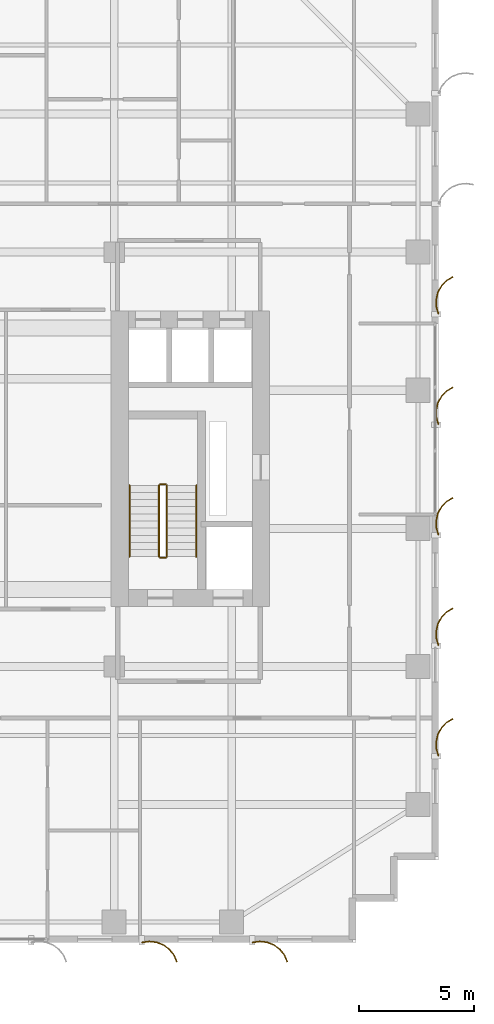
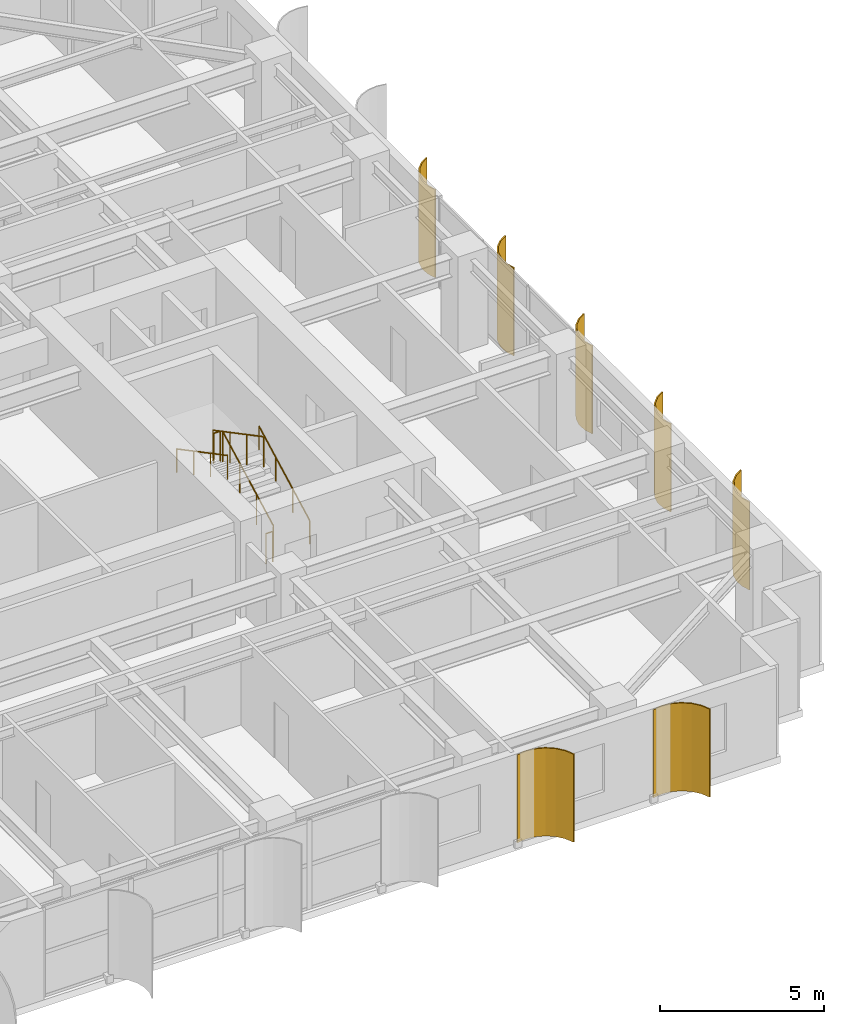
# One storey, part 18 of 19: 7 shading devices, 6 railings.
"""IFC4 building model written with IfcOpenShell, lengths in metres."""

from ifc_helpers import new_model, si_unit, direction, frame, origin, origin_2d, place, context, subcontext, project, spatial, polyline, circle, outline, extrude, source, transform, mapped, material, layer, layer_set, type_object, element, save


model = new_model("IFC4")

# Units and contexts
model_context = context("Model", 3, precision=1e-05, world=origin(), true_north=direction((0.0, 1.0)))
body_context = subcontext(model_context, "Body", "Model", "MODEL_VIEW")
ifc_project = project(units=[si_unit("LENGTHUNIT", "METRE"), si_unit("AREAUNIT", "SQUARE_METRE"), si_unit("VOLUMEUNIT", "CUBIC_METRE"), si_unit("PLANEANGLEUNIT", "RADIAN"), si_unit("MASSUNIT", "GRAM", prefix="KILO")], contexts=[model_context])

# Site, building, storey
site_placement = place(None, origin())
site = spatial("IfcSite", under=ifc_project, at=site_placement, CompositionType="ELEMENT")
building_placement = place(site_placement, origin())
building = spatial("IfcBuilding", under=site, at=building_placement, Name="Khoralis Quay Care Tower", CompositionType="ELEMENT")
storey_placement = place(building_placement, frame((0.0, 0.0, 90.89990234375)))
storey = spatial("IfcBuildingStorey", under=building, at=storey_placement, Name="L23", CompositionType="ELEMENT", Elevation=90.89990234375)

# Railings
ifc_material_1 = material(Name="Brushed stainless steel", Category="steel")
railing_type_1 = type_object("IfcRailingType", Name="RL-GUARD-1150", PredefinedType="GUARDRAIL", material=ifc_material_1)
railing_1_placement = place(storey_placement, frame((33.18994140625, 16.77001953125, 0.163818359375)))
element("IfcRailing", 1, at=railing_1_placement, inside=storey, type_object=railing_type_1, Name="L23 ST-T2 stair guard 1", PredefinedType="GUARDRAIL", context=body_context, shape_type="SweptSolid", body=[
    extrude(circle(Radius=0.02392578125, at=origin_2d()), frame((0.0, 0.0, 1.1259765625), z_axis=(0.0, 0.884376766648, 0.46677375099), x_axis=(-1.0, 0.0, 0.0)), (0.0, 0.0, 1.0), 3.50537109375),
    extrude(circle(Radius=0.02099609375, at=origin_2d()), origin(), (0.0, 0.0, 1.0), 1.101806640625),
    extrude(circle(Radius=0.02099609375, at=origin_2d()), frame((0.0, 1.033447265625, 0.54541015625)), (0.0, 0.0, 1.0), 1.101806640625),
    extrude(circle(Radius=0.02099609375, at=origin_2d()), frame((0.0, 2.066650390625, 1.0908203125)), (0.0, 0.0, 1.0), 1.101806640625),
    extrude(circle(Radius=0.02099609375, at=origin_2d()), frame((0.0, 3.10009765625, 1.63623046875)), (0.0, 0.0, 1.0), 1.101806640625),
])
railing_2_placement = place(storey_placement, frame((33.139892578125, 19.919921875, 1.800048828125)))
element("IfcRailing", 2, at=railing_2_placement, inside=storey, type_object=railing_type_1, Name="L23 ST-T2 stair guard 2", PredefinedType="GUARDRAIL", context=body_context, shape_type="SweptSolid", body=[
    extrude(circle(Radius=0.02392578125, at=origin_2d()), frame((0.0, 0.0, 1.1259765625), z_axis=(-1.0, 0.0, 0.0), x_axis=(0.0, -1.0, 0.0)), (0.0, 0.0, 1.0), 0.239990234375),
    extrude(circle(Radius=0.02099609375, at=origin_2d()), origin(), (0.0, 0.0, 1.0), 1.101806640625),
    extrude(circle(Radius=0.02099609375, at=origin_2d()), frame((-0.239990234375, 0.0, 0.0)), (0.0, 0.0, 1.0), 1.101806640625),
])
railing_3_placement = place(storey_placement, frame((32.85009765625, 19.8701171875, 1.963623046875)))
element("IfcRailing", 3, at=railing_3_placement, inside=storey, type_object=railing_type_1, Name="L23 ST-T2 stair guard 3", PredefinedType="GUARDRAIL", context=body_context, shape_type="SweptSolid", body=[
    extrude(circle(Radius=0.02392578125, at=origin_2d()), frame((0.0, 0.0, 1.1259765625), z_axis=(0.0, -0.884348015382, 0.466828220752), x_axis=(1.0, 0.0, 0.0)), (0.0, 0.0, 1.0), 3.505615234375),
    extrude(circle(Radius=0.02099609375, at=origin_2d()), origin(), (0.0, 0.0, 1.0), 1.101806640625),
    extrude(circle(Radius=0.02099609375, at=origin_2d()), frame((0.0, -1.033447265625, 0.54541015625)), (0.0, 0.0, 1.0), 1.101806640625),
    extrude(circle(Radius=0.02099609375, at=origin_2d()), frame((0.0, -2.066650390625, 1.091064453125)), (0.0, 0.0, 1.0), 1.101806640625),
    extrude(circle(Radius=0.02099609375, at=origin_2d()), frame((0.0, -3.10009765625, 1.636474609375)), (0.0, 0.0, 1.0), 1.101806640625),
])
railing_4_placement = place(storey_placement, frame((33.139892578125, 16.719970703125, 0.0)))
element("IfcRailing", 4, at=railing_4_placement, inside=storey, type_object=railing_type_1, Name="L23 ST-T2 stair guard 4", PredefinedType="GUARDRAIL", context=body_context, shape_type="SweptSolid", body=[
    extrude(circle(Radius=0.02392578125, at=origin_2d()), frame((0.0, 0.0, 1.1259765625), z_axis=(-1.0, 0.0, 0.0), x_axis=(0.0, -1.0, 0.0)), (0.0, 0.0, 1.0), 0.239990234375),
    extrude(circle(Radius=0.02099609375, at=origin_2d()), origin(), (0.0, 0.0, 1.0), 1.101806640625),
    extrude(circle(Radius=0.02099609375, at=origin_2d()), frame((-0.239990234375, 0.0, 0.0)), (0.0, 0.0, 1.0), 1.101806640625),
])
railing_type_2 = type_object("IfcRailingType", Name="RL-HAND-900", PredefinedType="HANDRAIL", material=ifc_material_1)
railing_5_placement = place(storey_placement, frame((34.469970703125, 16.77001953125, 0.163818359375)))
element("IfcRailing", 5, at=railing_5_placement, inside=storey, type_object=railing_type_2, Name="L23 ST-T2 stair handrail 1", PredefinedType="HANDRAIL", context=body_context, shape_type="SweptSolid", body=[
    extrude(circle(Radius=0.02392578125, at=origin_2d()), frame((0.0, 0.0, 0.8759765625), z_axis=(0.0, 0.884376766648, 0.46677375099), x_axis=(-1.0, 0.0, 0.0)), (0.0, 0.0, 1.0), 3.50537109375),
    extrude(circle(Radius=0.02099609375, at=origin_2d()), origin(), (0.0, 0.0, 1.0), 0.851806640625),
    extrude(circle(Radius=0.02099609375, at=origin_2d()), frame((0.0, 1.033447265625, 0.54541015625)), (0.0, 0.0, 1.0), 0.851806640625),
    extrude(circle(Radius=0.02099609375, at=origin_2d()), frame((0.0, 2.066650390625, 1.0908203125)), (0.0, 0.0, 1.0), 0.851806640625),
    extrude(circle(Radius=0.02099609375, at=origin_2d()), frame((0.0, 3.10009765625, 1.63623046875)), (0.0, 0.0, 1.0), 0.851806640625),
])
railing_6_placement = place(storey_placement, frame((31.570068359375, 19.8701171875, 1.963623046875)))
element("IfcRailing", 6, at=railing_6_placement, inside=storey, type_object=railing_type_2, Name="L23 ST-T2 stair handrail 2", PredefinedType="HANDRAIL", context=body_context, shape_type="SweptSolid", body=[
    extrude(circle(Radius=0.02392578125, at=origin_2d()), frame((0.0, 0.0, 0.8759765625), z_axis=(0.0, -0.884348015382, 0.466828220752), x_axis=(1.0, 0.0, 0.0)), (0.0, 0.0, 1.0), 3.505615234375),
    extrude(circle(Radius=0.02099609375, at=origin_2d()), origin(), (0.0, 0.0, 1.0), 0.851806640625),
    extrude(circle(Radius=0.02099609375, at=origin_2d()), frame((0.0, -1.033447265625, 0.54541015625)), (0.0, 0.0, 1.0), 0.851806640625),
    extrude(circle(Radius=0.02099609375, at=origin_2d()), frame((0.0, -2.066650390625, 1.091064453125)), (0.0, 0.0, 1.0), 0.851806640625),
    extrude(circle(Radius=0.02099609375, at=origin_2d()), frame((0.0, -3.10009765625, 1.636474609375)), (0.0, 0.0, 1.0), 0.851806640625),
])

# Shading devices
ifc_material_2 = material(Name="Brushed pale anodised aluminium", Category="aluminium")
ifc_layer = layer(ifc_material_2, 0.044921875)
ifc_layer_set = layer_set([ifc_layer], Name="Brushed pale anodised aluminium")
shading_device_type = type_object("IfcShadingDeviceType", Name="SHD-FIN-1250", PredefinedType="USERDEFINED", material=ifc_layer_set)
shared_shape_1 = source(origin(), body_context, "Body", "SweptSolid", [
    extrude(outline(polyline([(0.0, 0.0), (-0.04833984375, 0.32275390625), (-0.01123046875, 0.64697265625), (0.1083984375, 0.950439453125), (0.302490234375, 1.212890625), (0.557861328125, 1.416015625), (0.85693359375, 1.546142578125), (0.869384765625, 1.5029296875), (0.5810546875, 1.37744140625), (0.334716796875, 1.181640625), (0.147705078125, 0.9287109375), (0.032470703125, 0.635986328125), (-0.003173828125, 0.323486328125), (0.043212890625, 0.012451171875), (0.0, 0.0)])), origin(), (0.0, 0.0, 1.0), 3.280029296875),
])
for number, where, z_axis, x_axis, name in (
    (7, (32.10009765625, 0.030029296875, 0.02001953125), (0.0, 0.0, 1.0), (0.0, -1.0, 0.0), "L23 Curved Solar Fin P1E0-06"),
    (8, (36.89990234375, 0.030029296875, 0.02001953125), (0.0, 0.0, 1.0), (0.0, -1.0, 0.0), "L23 Curved Solar Fin P1E0-07"),
):
    element("IfcShadingDevice", number, at=place(storey_placement, frame(where, z_axis=z_axis, x_axis=x_axis)), inside=storey, type_object=shading_device_type, Name=name, ObjectType="FIN", PredefinedType="USERDEFINED", context=body_context, shape_type="MappedRepresentation", body=[
        mapped(shared_shape_1, transform((0.0, 0.0, 0.0), scale=1.0)),
    ])
shared_shape_2 = source(origin(), body_context, "Body", "SweptSolid", [
    extrude(outline(polyline([(0.0, 0.0), (-0.0927734375, 0.31298828125), (-0.101318359375, 0.63916015625), (-0.025146484375, 0.956298828125), (0.130615234375, 1.2431640625), (0.355224609375, 1.479736328125), (0.633544921875, 1.650390625), (0.65185546875, 1.609130859375), (0.383544921875, 1.44482421875), (0.1669921875, 1.216796875), (0.01708984375, 0.940185546875), (-0.056396484375, 0.63427734375), (-0.04833984375, 0.31982421875), (0.041015625, 0.018310546875), (0.0, 0.0)])), origin(), (0.0, 0.0, 1.0), 3.280029296875),
])
for number, where, z_axis, x_axis, name in (
    (9, (44.969970703125, 8.10009765625, 0.02001953125), (0.0, 0.0, 1.0), (1.0, 0.0, 0.0), "L23 Curved Solar Fin P1E5-01"),
    (10, (44.969970703125, 12.89990234375, 0.02001953125), (0.0, 0.0, 1.0), (1.0, 0.0, 0.0), "L23 Curved Solar Fin P1E5-02"),
    (11, (44.969970703125, 17.699951171875, 0.02001953125), (0.0, 0.0, 1.0), (1.0, 0.0, 0.0), "L23 Curved Solar Fin P1E5-03"),
    (12, (44.969970703125, 22.5, 0.02001953125), (0.0, 0.0, 1.0), (1.0, 0.0, 0.0), "L23 Curved Solar Fin P1E5-04"),
    (13, (44.969970703125, 27.300048828125, 0.02001953125), (0.0, 0.0, 1.0), (1.0, 0.0, 0.0), "L23 Curved Solar Fin P1E5-05"),
):
    element("IfcShadingDevice", number, at=place(storey_placement, frame(where, z_axis=z_axis, x_axis=x_axis)), inside=storey, type_object=shading_device_type, Name=name, ObjectType="FIN", PredefinedType="USERDEFINED", context=body_context, shape_type="MappedRepresentation", body=[
        mapped(shared_shape_2, transform((0.0, 0.0, 0.0), scale=1.0)),
    ])

save(model, "model.ifc")
